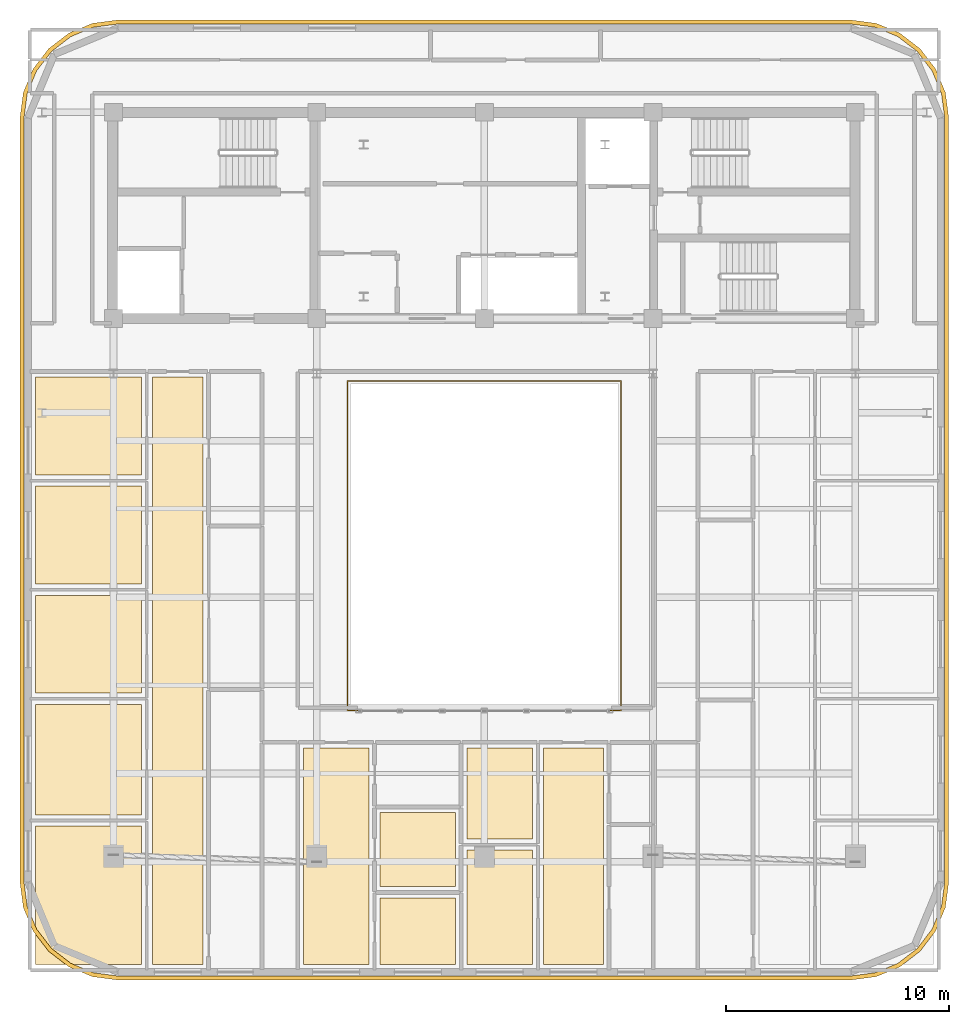
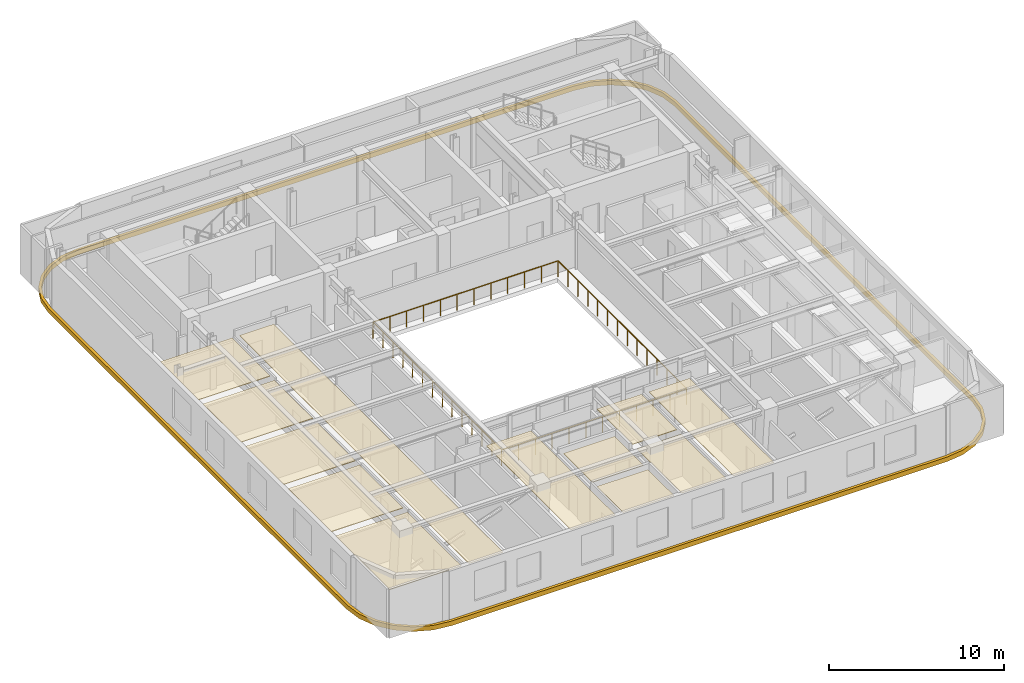
# One storey, part 11 of 13: 13 coverings, 1 railing.
"""IFC4 building model written with IfcOpenShell, lengths in metres."""

from ifc_helpers import new_model, si_unit, direction, frame, origin, origin_2d, place, context, subcontext, project, spatial, polyline, rectangle, outline, extrude, material, layer, layer_set, type_object, element, save


model = new_model("IFC4")

# Units and contexts
model_context = context("Model", 3, precision=1e-05, world=origin(), true_north=direction((0.0, 1.0)))
body_context = subcontext(model_context, "Body", "Model", "MODEL_VIEW")
ifc_project = project(units=[si_unit("LENGTHUNIT", "METRE"), si_unit("AREAUNIT", "SQUARE_METRE"), si_unit("VOLUMEUNIT", "CUBIC_METRE"), si_unit("PLANEANGLEUNIT", "RADIAN"), si_unit("MASSUNIT", "GRAM", prefix="KILO")], contexts=[model_context])

# Site, building, storey
site_placement = place(None, origin())
site = spatial("IfcSite", under=ifc_project, at=site_placement, CompositionType="ELEMENT")
building_placement = place(site_placement, origin())
building = spatial("IfcBuilding", under=site, at=building_placement, Name="Zarnavel Station Tower", CompositionType="ELEMENT")
storey_placement = place(building_placement, frame((0.0, 0.0, 247.300048828125)))
storey = spatial("IfcBuildingStorey", under=building, at=storey_placement, Name="L67", CompositionType="ELEMENT", Elevation=247.300048828125)

# Coverings
ifc_material_1 = material(Name="Perforated Gypsum and Mineral-Wool Acoustic Ceiling", Category="concrete")
ifc_layer = layer(ifc_material_1, 0.0400390625)
ifc_layer_set = layer_set([ifc_layer], Name="COV_CEIL_ACOUSTIC")
covering_type_1 = type_object("IfcCoveringType", Name="COV_CEIL_ACOUSTIC", PredefinedType="CEILING", material=ifc_layer_set)
covering_1_placement = place(storey_placement, frame((0.0, 0.0, 3.099853515625)))
element("IfcCovering", 1, at=covering_1_placement, inside=storey, type_object=covering_type_1, Name="L67 UW1LV Acoustic Ceiling", PredefinedType="CEILING", context=body_context, shape_type="SweptSolid", body=[
    extrude(outline(polyline([(13.947998046875, -1.090087890625), (16.2099609375, -1.090087890625), (16.2099609375, 25.199951171875), (13.947998046875, 25.199951171875), (13.947998046875, -1.090087890625)])), origin(), (0.0, 0.0, 1.0), 0.0400390625),
])
covering_2_placement = place(storey_placement, frame((0.0, 0.0, 3.099853515625)))
element("IfcCovering", 2, at=covering_2_placement, inside=storey, type_object=covering_type_1, Name="L67 UW1B1 Acoustic Ceiling", PredefinedType="CEILING", context=body_context, shape_type="SweptSolid", body=[
    extrude(outline(polyline([(8.7099609375, -1.090087890625), (13.447998046875, -1.090087890625), (13.447998046875, 5.10693359375), (8.7099609375, 5.10693359375), (8.7099609375, -1.090087890625)])), origin(), (0.0, 0.0, 1.0), 0.0400390625),
])
covering_3_placement = place(storey_placement, frame((0.0, 0.0, 3.099853515625)))
element("IfcCovering", 3, at=covering_3_placement, inside=storey, type_object=covering_type_1, Name="L67 UW1B2 Acoustic Ceiling", PredefinedType="CEILING", context=body_context, shape_type="SweptSolid", body=[
    extrude(outline(polyline([(8.7099609375, 5.60693359375), (13.447998046875, 5.60693359375), (13.447998046875, 10.555908203125), (8.7099609375, 10.555908203125), (8.7099609375, 5.60693359375)])), origin(), (0.0, 0.0, 1.0), 0.0400390625),
])
covering_4_placement = place(storey_placement, frame((0.0, 0.0, 3.099853515625)))
element("IfcCovering", 4, at=covering_4_placement, inside=storey, type_object=covering_type_1, Name="L67 UW1B3 Acoustic Ceiling", PredefinedType="CEILING", context=body_context, shape_type="SweptSolid", body=[
    extrude(outline(polyline([(8.7099609375, 11.055908203125), (13.447998046875, 11.055908203125), (13.447998046875, 15.43701171875), (8.7099609375, 15.43701171875), (8.7099609375, 11.055908203125)])), origin(), (0.0, 0.0, 1.0), 0.0400390625),
])
covering_5_placement = place(storey_placement, frame((0.0, 0.0, 3.099853515625)))
element("IfcCovering", 5, at=covering_5_placement, inside=storey, type_object=covering_type_1, Name="L67 UW1B4 Acoustic Ceiling", PredefinedType="CEILING", context=body_context, shape_type="SweptSolid", body=[
    extrude(outline(polyline([(8.7099609375, 15.93701171875), (13.447998046875, 15.93701171875), (13.447998046875, 20.318115234375), (8.7099609375, 20.318115234375), (8.7099609375, 15.93701171875)])), origin(), (0.0, 0.0, 1.0), 0.0400390625),
])
covering_6_placement = place(storey_placement, frame((0.0, 0.0, 3.099853515625)))
element("IfcCovering", 6, at=covering_6_placement, inside=storey, type_object=covering_type_1, Name="L67 UW1B5 Acoustic Ceiling", PredefinedType="CEILING", context=body_context, shape_type="SweptSolid", body=[
    extrude(outline(polyline([(8.7099609375, 20.818115234375), (13.447998046875, 20.818115234375), (13.447998046875, 25.199951171875), (8.7099609375, 25.199951171875), (8.7099609375, 20.818115234375)])), origin(), (0.0, 0.0, 1.0), 0.0400390625),
])
covering_7_placement = place(storey_placement, frame((0.0, 0.0, 3.099853515625)))
element("IfcCovering", 7, at=covering_7_placement, inside=storey, type_object=covering_type_1, Name="L67 US1ALV Acoustic Ceiling", PredefinedType="CEILING", context=body_context, shape_type="SweptSolid", body=[
    extrude(outline(polyline([(20.699951171875, -1.090087890625), (23.637939453125, -1.090087890625), (23.637939453125, 8.60009765625), (20.699951171875, 8.60009765625), (20.699951171875, -1.090087890625)])), origin(), (0.0, 0.0, 1.0), 0.0400390625),
])
covering_8_placement = place(storey_placement, frame((0.0, 0.0, 3.099853515625)))
element("IfcCovering", 8, at=covering_8_placement, inside=storey, type_object=covering_type_1, Name="L67 US1AB1 Acoustic Ceiling", PredefinedType="CEILING", context=body_context, shape_type="SweptSolid", body=[
    extrude(outline(polyline([(24.137939453125, -1.090087890625), (27.513916015625, -1.090087890625), (27.513916015625, 1.89306640625), (24.137939453125, 1.89306640625), (24.137939453125, -1.090087890625)])), origin(), (0.0, 0.0, 1.0), 0.0400390625),
])
covering_9_placement = place(storey_placement, frame((0.0, 0.0, 3.099853515625)))
element("IfcCovering", 9, at=covering_9_placement, inside=storey, type_object=covering_type_1, Name="L67 US1AKT Acoustic Ceiling", PredefinedType="CEILING", context=body_context, shape_type="SweptSolid", body=[
    extrude(outline(polyline([(24.137939453125, 2.39306640625), (27.513916015625, 2.39306640625), (27.513916015625, 5.716064453125), (24.137939453125, 5.716064453125), (24.137939453125, 2.39306640625)])), origin(), (0.0, 0.0, 1.0), 0.0400390625),
])
covering_10_placement = place(storey_placement, frame((0.0, 0.0, 3.099853515625)))
element("IfcCovering", 10, at=covering_10_placement, inside=storey, type_object=covering_type_1, Name="L67 US1BLV Acoustic Ceiling", PredefinedType="CEILING", context=body_context, shape_type="SweptSolid", body=[
    extrude(outline(polyline([(31.447998046875, -1.090087890625), (34.125, -1.090087890625), (34.125, 8.60009765625), (31.447998046875, 8.60009765625), (31.447998046875, -1.090087890625)])), origin(), (0.0, 0.0, 1.0), 0.0400390625),
])
covering_11_placement = place(storey_placement, frame((0.0, 0.0, 3.099853515625)))
element("IfcCovering", 11, at=covering_11_placement, inside=storey, type_object=covering_type_1, Name="L67 US1BB1 Acoustic Ceiling", PredefinedType="CEILING", context=body_context, shape_type="SweptSolid", body=[
    extrude(outline(polyline([(28.013916015625, -1.090087890625), (30.947998046875, -1.090087890625), (30.947998046875, 4.029052734375), (28.013916015625, 4.029052734375), (28.013916015625, -1.090087890625)])), origin(), (0.0, 0.0, 1.0), 0.0400390625),
])
covering_12_placement = place(storey_placement, frame((0.0, 0.0, 3.099853515625)))
element("IfcCovering", 12, at=covering_12_placement, inside=storey, type_object=covering_type_1, Name="L67 US1BB2 Acoustic Ceiling", PredefinedType="CEILING", context=body_context, shape_type="SweptSolid", body=[
    extrude(outline(polyline([(28.013916015625, 4.529052734375), (30.947998046875, 4.529052734375), (30.947998046875, 8.60009765625), (28.013916015625, 8.60009765625), (28.013916015625, 4.529052734375)])), origin(), (0.0, 0.0, 1.0), 0.0400390625),
])
ifc_material_2 = material(Name="Precast concrete C45/55 (Pale Travertine Slab Band)", Category="masonry")
covering_type_2 = type_object("IfcCoveringType", Name="COV_TRAVERTINE_BAND", PredefinedType="CLADDING", material=ifc_material_2)
covering_13_placement = place(storey_placement, frame((0.0, 0.0, -0.260009765625)))
element("IfcCovering", 13, at=covering_13_placement, inside=storey, type_object=covering_type_2, Name="L67 Pale Travertine Slab-Edge Band", PredefinedType="CLADDING", context=body_context, shape_type="SweptSolid", body=[
    extrude(outline(polyline([(45.199951171875, -1.780029296875), (46.33349609375, -1.630859375), (47.389892578125, -1.193115234375), (48.297119140625, -0.4970703125), (48.9931640625, 0.409912109375), (49.430908203125, 1.46630859375), (49.580078125, 2.60009765625), (49.580078125, 36.800048828125), (49.430908203125, 37.93359375), (48.9931640625, 38.989990234375), (48.297119140625, 39.897216796875), (47.389892578125, 40.59326171875), (46.33349609375, 41.03076171875), (45.199951171875, 41.179931640625), (12.39990234375, 41.179931640625), (11.266357421875, 41.03076171875), (10.2099609375, 40.59326171875), (9.302978515625, 39.897216796875), (8.606689453125, 38.989990234375), (8.169189453125, 37.93359375), (8.02001953125, 36.800048828125), (8.02001953125, 2.60009765625), (8.169189453125, 1.46630859375), (8.606689453125, 0.409912109375), (9.302978515625, -0.4970703125), (10.2099609375, -1.193115234375), (11.266357421875, -1.630859375), (12.39990234375, -1.780029296875), (45.199951171875, -1.780029296875)]), holes=[polyline([(45.199951171875, -1.60009765625), (46.287109375, -1.456787109375), (47.300048828125, -1.037353515625), (48.169921875, -0.369873046875), (48.83740234375, 0.5), (49.2568359375, 1.512939453125), (49.39990234375, 2.60009765625), (49.39990234375, 36.800048828125), (49.2568359375, 37.886962890625), (48.83740234375, 38.89990234375), (48.169921875, 39.769775390625), (47.300048828125, 40.437255859375), (46.287109375, 40.85693359375), (45.199951171875, 41.0), (12.39990234375, 41.0), (11.31298828125, 40.85693359375), (10.300048828125, 40.437255859375), (9.43017578125, 39.769775390625), (8.7626953125, 38.89990234375), (8.343017578125, 37.886962890625), (8.199951171875, 36.800048828125), (8.199951171875, 2.60009765625), (8.343017578125, 1.512939453125), (8.7626953125, 0.5), (9.43017578125, -0.369873046875), (10.300048828125, -1.037353515625), (11.31298828125, -1.456787109375), (12.39990234375, -1.60009765625), (45.199951171875, -1.60009765625)])]), origin(), (0.0, 0.0, 1.0), 0.320068359375),
])

# Railing
ifc_material_3 = material(Name="Painted Steel S355J2 Balustrade", Category="steel")
railing_type = type_object("IfcRailingType", Name="GR_INT_1150", PredefinedType="GUARDRAIL", material=ifc_material_3)
railing_placement = place(storey_placement, frame((22.679931640625, 10.280029296875, 0.0)))
element("IfcRailing", 14, at=railing_placement, inside=storey, type_object=railing_type, Name="L67 Atrium Void Guardrail", PredefinedType="GUARDRAIL", context=body_context, shape_type="SweptSolid", body=[
    extrude(rectangle(XDim=0.048095703125, YDim=0.048095703125, at=origin_2d()), frame((0.001953125, 0.0, 1.1259765625), z_axis=(1.0, 0.0, 0.0), x_axis=(0.0, 1.0, 0.0)), (0.0, 0.0, 1.0), 12.236083984375),
    extrude(rectangle(XDim=0.048095703125, YDim=0.048095703125, at=origin_2d()), frame((12.239990234375, 0.001953125, 1.1259765625), z_axis=(0.0, 1.0, 0.0), x_axis=(-1.0, 0.0, 0.0)), (0.0, 0.0, 1.0), 14.736083984375),
    extrude(rectangle(XDim=0.048095703125, YDim=0.048095703125, at=origin_2d()), frame((12.238037109375, 14.739990234375, 1.1259765625), z_axis=(-1.0, 0.0, 0.0), x_axis=(0.0, -1.0, 0.0)), (0.0, 0.0, 1.0), 12.236083984375),
    extrude(rectangle(XDim=0.048095703125, YDim=0.048095703125, at=origin_2d()), frame((0.0, 14.738037109375, 1.1259765625), z_axis=(0.0, -1.0, 0.0), x_axis=(1.0, 0.0, 0.0)), (0.0, 0.0, 1.0), 14.736083984375),
    extrude(rectangle(XDim=0.0419921875, YDim=0.0419921875, at=origin_2d()), origin(), (0.0, 0.0, 1.0), 1.101806640625),
    extrude(rectangle(XDim=0.0419921875, YDim=0.0419921875, at=origin_2d()), frame((1.11279296875, 0.0, 0.0)), (0.0, 0.0, 1.0), 1.101806640625),
    extrude(rectangle(XDim=0.0419921875, YDim=0.0419921875, at=origin_2d()), frame((2.225341796875, 0.0, 0.0)), (0.0, 0.0, 1.0), 1.101806640625),
    extrude(rectangle(XDim=0.0419921875, YDim=0.0419921875, at=origin_2d()), frame((3.338134765625, 0.0, 0.0)), (0.0, 0.0, 1.0), 1.101806640625),
    extrude(rectangle(XDim=0.0419921875, YDim=0.0419921875, at=origin_2d()), frame((4.450927734375, 0.0, 0.0)), (0.0, 0.0, 1.0), 1.101806640625),
    extrude(rectangle(XDim=0.0419921875, YDim=0.0419921875, at=origin_2d()), frame((5.563720703125, 0.0, 0.0)), (0.0, 0.0, 1.0), 1.101806640625),
    extrude(rectangle(XDim=0.0419921875, YDim=0.0419921875, at=origin_2d()), frame((6.67626953125, 0.0, 0.0)), (0.0, 0.0, 1.0), 1.101806640625),
    extrude(rectangle(XDim=0.0419921875, YDim=0.0419921875, at=origin_2d()), frame((7.7890625, 0.0, 0.0)), (0.0, 0.0, 1.0), 1.101806640625),
    extrude(rectangle(XDim=0.0419921875, YDim=0.0419921875, at=origin_2d()), frame((8.90185546875, 0.0, 0.0)), (0.0, 0.0, 1.0), 1.101806640625),
    extrude(rectangle(XDim=0.0419921875, YDim=0.0419921875, at=origin_2d()), frame((10.0146484375, 0.0, 0.0)), (0.0, 0.0, 1.0), 1.101806640625),
    extrude(rectangle(XDim=0.0419921875, YDim=0.0419921875, at=origin_2d()), frame((11.127197265625, 0.0, 0.0)), (0.0, 0.0, 1.0), 1.101806640625),
    extrude(rectangle(XDim=0.0419921875, YDim=0.0419921875, at=origin_2d()), frame((12.239990234375, 0.0, 0.0)), (0.0, 0.0, 1.0), 1.101806640625),
    extrude(rectangle(XDim=0.0419921875, YDim=0.0419921875, at=origin_2d()), frame((12.239990234375, 1.1337890625, 0.0)), (0.0, 0.0, 1.0), 1.101806640625),
    extrude(rectangle(XDim=0.0419921875, YDim=0.0419921875, at=origin_2d()), frame((12.239990234375, 2.267578125, 0.0)), (0.0, 0.0, 1.0), 1.101806640625),
    extrude(rectangle(XDim=0.0419921875, YDim=0.0419921875, at=origin_2d()), frame((12.239990234375, 3.401611328125, 0.0)), (0.0, 0.0, 1.0), 1.101806640625),
    extrude(rectangle(XDim=0.0419921875, YDim=0.0419921875, at=origin_2d()), frame((12.239990234375, 4.535400390625, 0.0)), (0.0, 0.0, 1.0), 1.101806640625),
    extrude(rectangle(XDim=0.0419921875, YDim=0.0419921875, at=origin_2d()), frame((12.239990234375, 5.669189453125, 0.0)), (0.0, 0.0, 1.0), 1.101806640625),
    extrude(rectangle(XDim=0.0419921875, YDim=0.0419921875, at=origin_2d()), frame((12.239990234375, 6.802978515625, 0.0)), (0.0, 0.0, 1.0), 1.101806640625),
    extrude(rectangle(XDim=0.0419921875, YDim=0.0419921875, at=origin_2d()), frame((12.239990234375, 7.93701171875, 0.0)), (0.0, 0.0, 1.0), 1.101806640625),
    extrude(rectangle(XDim=0.0419921875, YDim=0.0419921875, at=origin_2d()), frame((12.239990234375, 9.07080078125, 0.0)), (0.0, 0.0, 1.0), 1.101806640625),
    extrude(rectangle(XDim=0.0419921875, YDim=0.0419921875, at=origin_2d()), frame((12.239990234375, 10.20458984375, 0.0)), (0.0, 0.0, 1.0), 1.101806640625),
    extrude(rectangle(XDim=0.0419921875, YDim=0.0419921875, at=origin_2d()), frame((12.239990234375, 11.33837890625, 0.0)), (0.0, 0.0, 1.0), 1.101806640625),
    extrude(rectangle(XDim=0.0419921875, YDim=0.0419921875, at=origin_2d()), frame((12.239990234375, 12.472412109375, 0.0)), (0.0, 0.0, 1.0), 1.101806640625),
    extrude(rectangle(XDim=0.0419921875, YDim=0.0419921875, at=origin_2d()), frame((12.239990234375, 13.606201171875, 0.0)), (0.0, 0.0, 1.0), 1.101806640625),
    extrude(rectangle(XDim=0.0419921875, YDim=0.0419921875, at=origin_2d()), frame((12.239990234375, 14.739990234375, 0.0)), (0.0, 0.0, 1.0), 1.101806640625),
    extrude(rectangle(XDim=0.0419921875, YDim=0.0419921875, at=origin_2d()), frame((11.127197265625, 14.739990234375, 0.0)), (0.0, 0.0, 1.0), 1.101806640625),
    extrude(rectangle(XDim=0.0419921875, YDim=0.0419921875, at=origin_2d()), frame((10.0146484375, 14.739990234375, 0.0)), (0.0, 0.0, 1.0), 1.101806640625),
    extrude(rectangle(XDim=0.0419921875, YDim=0.0419921875, at=origin_2d()), frame((8.90185546875, 14.739990234375, 0.0)), (0.0, 0.0, 1.0), 1.101806640625),
    extrude(rectangle(XDim=0.0419921875, YDim=0.0419921875, at=origin_2d()), frame((7.7890625, 14.739990234375, 0.0)), (0.0, 0.0, 1.0), 1.101806640625),
    extrude(rectangle(XDim=0.0419921875, YDim=0.0419921875, at=origin_2d()), frame((6.67626953125, 14.739990234375, 0.0)), (0.0, 0.0, 1.0), 1.101806640625),
    extrude(rectangle(XDim=0.0419921875, YDim=0.0419921875, at=origin_2d()), frame((5.563720703125, 14.739990234375, 0.0)), (0.0, 0.0, 1.0), 1.101806640625),
    extrude(rectangle(XDim=0.0419921875, YDim=0.0419921875, at=origin_2d()), frame((4.450927734375, 14.739990234375, 0.0)), (0.0, 0.0, 1.0), 1.101806640625),
    extrude(rectangle(XDim=0.0419921875, YDim=0.0419921875, at=origin_2d()), frame((3.338134765625, 14.739990234375, 0.0)), (0.0, 0.0, 1.0), 1.101806640625),
    extrude(rectangle(XDim=0.0419921875, YDim=0.0419921875, at=origin_2d()), frame((2.225341796875, 14.739990234375, 0.0)), (0.0, 0.0, 1.0), 1.101806640625),
    extrude(rectangle(XDim=0.0419921875, YDim=0.0419921875, at=origin_2d()), frame((1.11279296875, 14.739990234375, 0.0)), (0.0, 0.0, 1.0), 1.101806640625),
    extrude(rectangle(XDim=0.0419921875, YDim=0.0419921875, at=origin_2d()), frame((0.0, 14.739990234375, 0.0)), (0.0, 0.0, 1.0), 1.101806640625),
    extrude(rectangle(XDim=0.0419921875, YDim=0.0419921875, at=origin_2d()), frame((0.0, 13.606201171875, 0.0)), (0.0, 0.0, 1.0), 1.101806640625),
    extrude(rectangle(XDim=0.0419921875, YDim=0.0419921875, at=origin_2d()), frame((0.0, 12.472412109375, 0.0)), (0.0, 0.0, 1.0), 1.101806640625),
    extrude(rectangle(XDim=0.0419921875, YDim=0.0419921875, at=origin_2d()), frame((0.0, 11.33837890625, 0.0)), (0.0, 0.0, 1.0), 1.101806640625),
    extrude(rectangle(XDim=0.0419921875, YDim=0.0419921875, at=origin_2d()), frame((0.0, 10.20458984375, 0.0)), (0.0, 0.0, 1.0), 1.101806640625),
    extrude(rectangle(XDim=0.0419921875, YDim=0.0419921875, at=origin_2d()), frame((0.0, 9.07080078125, 0.0)), (0.0, 0.0, 1.0), 1.101806640625),
    extrude(rectangle(XDim=0.0419921875, YDim=0.0419921875, at=origin_2d()), frame((0.0, 7.93701171875, 0.0)), (0.0, 0.0, 1.0), 1.101806640625),
    extrude(rectangle(XDim=0.0419921875, YDim=0.0419921875, at=origin_2d()), frame((0.0, 6.802978515625, 0.0)), (0.0, 0.0, 1.0), 1.101806640625),
    extrude(rectangle(XDim=0.0419921875, YDim=0.0419921875, at=origin_2d()), frame((0.0, 5.669189453125, 0.0)), (0.0, 0.0, 1.0), 1.101806640625),
    extrude(rectangle(XDim=0.0419921875, YDim=0.0419921875, at=origin_2d()), frame((0.0, 4.535400390625, 0.0)), (0.0, 0.0, 1.0), 1.101806640625),
    extrude(rectangle(XDim=0.0419921875, YDim=0.0419921875, at=origin_2d()), frame((0.0, 3.401611328125, 0.0)), (0.0, 0.0, 1.0), 1.101806640625),
    extrude(rectangle(XDim=0.0419921875, YDim=0.0419921875, at=origin_2d()), frame((0.0, 2.267578125, 0.0)), (0.0, 0.0, 1.0), 1.101806640625),
    extrude(rectangle(XDim=0.0419921875, YDim=0.0419921875, at=origin_2d()), frame((0.0, 1.1337890625, 0.0)), (0.0, 0.0, 1.0), 1.101806640625),
])

save(model, "model.ifc")
